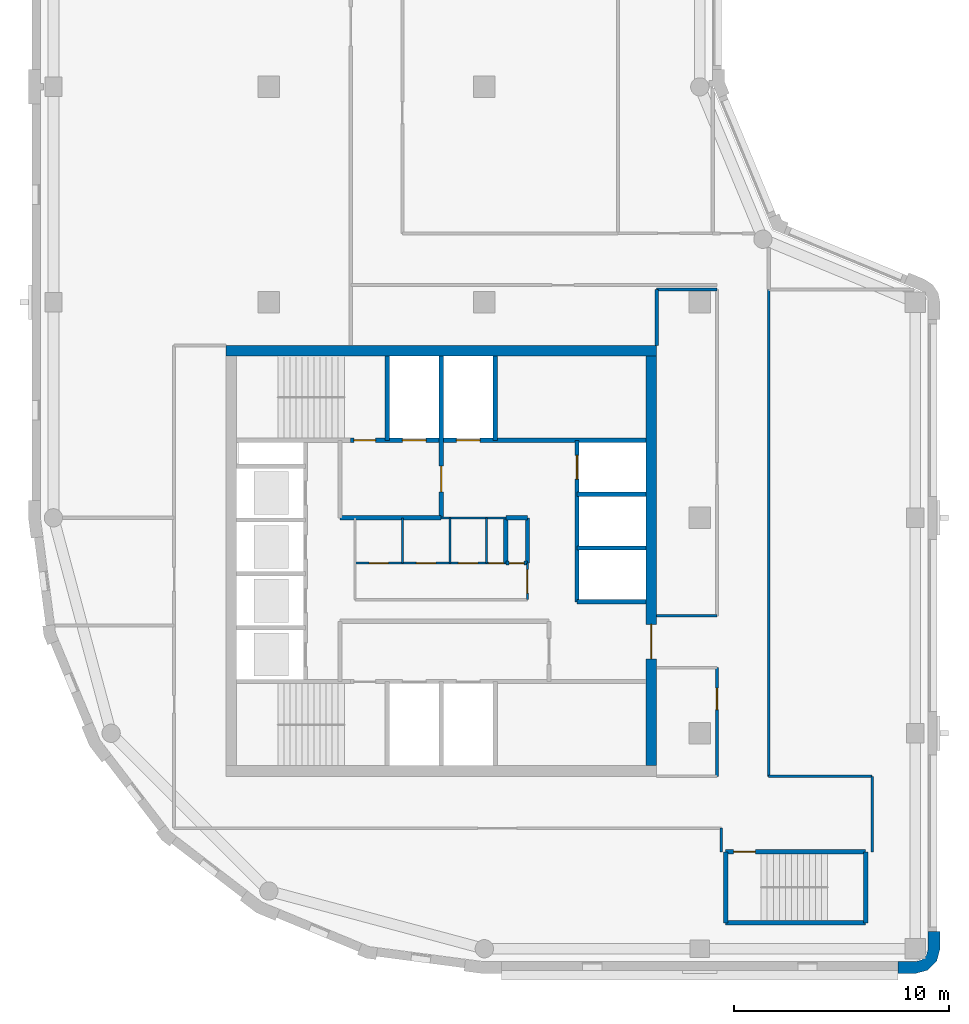
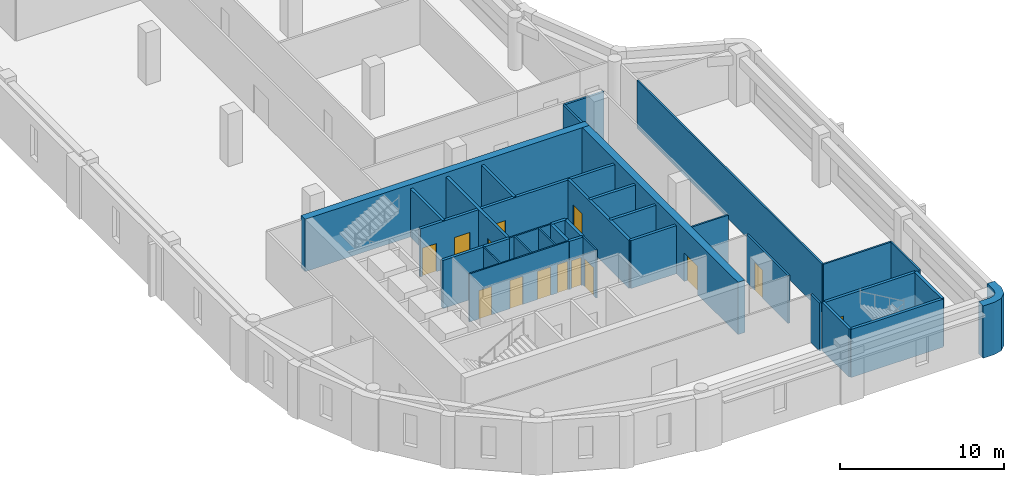
# One storey, part 3 of 8: 34 walls, 14 doors, 14 openings.
"""IFC4 building model written with IfcOpenShell, lengths in metres."""

from ifc_helpers import new_model, si_unit, direction, frame, frame_2d, origin, place, context, subcontext, project, spatial, polyline, rectangle, outline, extrude, material, layer, layer_set, type_object, element, fill, save


model = new_model("IFC4")

# Units and contexts
model_context = context("Model", 3, precision=1e-05, world=origin(), true_north=direction((0.0, 1.0)))
body_context = subcontext(model_context, "Body", "Model", "MODEL_VIEW")
ifc_project = project(units=[si_unit("LENGTHUNIT", "METRE"), si_unit("AREAUNIT", "SQUARE_METRE"), si_unit("VOLUMEUNIT", "CUBIC_METRE"), si_unit("PLANEANGLEUNIT", "RADIAN"), si_unit("MASSUNIT", "GRAM", prefix="KILO")], contexts=[model_context])

# Site, building, storey
site_placement = place(None, origin())
site = spatial("IfcSite", under=ifc_project, at=site_placement, CompositionType="ELEMENT")
building_placement = place(site_placement, origin())
building = spatial("IfcBuilding", under=site, at=building_placement, Name="Qaws Garden Tower", CompositionType="ELEMENT")
storey_placement = place(building_placement, frame((0.0, 0.0, 345.0)))
storey = spatial("IfcBuildingStorey", under=building, at=storey_placement, Name="L84", CompositionType="ELEMENT", Elevation=345.0)

# Wall
ifc_material_1 = material(Name="Clay facing brick masonry", Category="masonry")
ifc_layer_1 = layer(ifc_material_1, 0.550048828125)
ifc_layer_set_1 = layer_set([ifc_layer_1], Name="Clay facing brick masonry")
wall_type_1 = type_object("IfcWallType", Name="Brick corner pier 550 x 2400", PredefinedType="SOLIDWALL", material=ifc_layer_set_1)
wall_1_placement = place(storey_placement, origin())
element("IfcWall", 1, at=wall_1_placement, inside=storey, type_object=wall_type_1, Name="E-L84-pier-02", PredefinedType="SOLIDWALL", context=body_context, shape_type="SweptSolid", body=[
    extrude(outline(polyline([(39.199951171875, -1.0), (39.199951171875, -1.14990234375), (40.0, -1.14990234375), (40.574951171875, -0.995849609375), (40.995849609375, -0.574951171875), (41.14990234375, 0.0), (41.14990234375, 0.800048828125), (41.0, 0.800048828125), (40.60009765625, 0.800048828125), (40.60009765625, 0.0), (40.51953125, -0.300048828125), (40.300048828125, -0.51953125), (40.0, -0.60009765625), (39.199951171875, -0.60009765625), (39.199951171875, -1.0)])), origin(), (0.0, 0.0, 1.0), 3.89990234375),
])

# Wall, openings, doors
ifc_material_2 = material(Name="Plasterboard")
ifc_layer_2 = layer(ifc_material_2, 0.10009765625)
ifc_layer_set_2 = layer_set([ifc_layer_2], Name="Plasterboard")
wall_type_2 = type_object("IfcWallType", Name="Core partition 100", PredefinedType="PARTITIONING", material=ifc_layer_set_2)
wall_2_placement = place(storey_placement, frame((14.0, 17.89990234375, 0.0), z_axis=(0.0, 0.0, 1.0), x_axis=(1.0, 0.0, 0.0)))
wall_2 = element("IfcWall", 2, at=wall_2_placement, inside=storey, type_object=wall_type_2, Name="Core partition", PredefinedType="PARTITIONING", context=body_context, shape_type="SweptSolid", body=[
    extrude(rectangle(XDim=7.0, YDim=0.10009765625, at=frame_2d((3.5, 0.0))), origin(), (0.0, 0.0, 1.0), 3.580078125),
])
opening_1_placement = place(wall_2_placement, frame((0.64990234375, 0.0, 0.0)))
opening_1 = element("IfcOpeningElement", 3, at=opening_1_placement, cuts=wall_2, Name="Opening WD18", PredefinedType="OPENING", context=body_context, shape_type="SweptSolid", body=[
    extrude(rectangle(XDim=0.89990234375, YDim=2.10009765625, at=frame_2d((0.449951171875, 1.050048828125))), frame((0.0, 0.06005859375, 0.0), z_axis=(0.0, -1.0, 0.0), x_axis=(1.0, 0.0, 0.0)), (0.0, 0.0, 1.0), 0.1201171875),
])
opening_2_placement = place(wall_2_placement, frame((2.85009765625, 0.0, 0.0)))
opening_2 = element("IfcOpeningElement", 4, at=opening_2_placement, cuts=wall_2, Name="Opening WD19", PredefinedType="OPENING", context=body_context, shape_type="SweptSolid", body=[
    extrude(rectangle(XDim=0.89990234375, YDim=2.10009765625, at=frame_2d((0.449951171875, 1.050048828125))), frame((0.0, 0.06005859375, 0.0), z_axis=(0.0, -1.0, 0.0), x_axis=(1.0, 0.0, 0.0)), (0.0, 0.0, 1.0), 0.1201171875),
])
opening_3_placement = place(wall_2_placement, frame((4.800048828125, 0.0, 0.0)))
opening_3 = element("IfcOpeningElement", 5, at=opening_3_placement, cuts=wall_2, Name="Opening WD20", PredefinedType="OPENING", context=body_context, shape_type="SweptSolid", body=[
    extrude(rectangle(XDim=0.89990234375, YDim=2.10009765625, at=frame_2d((0.449951171875, 1.050048828125))), frame((0.0, 0.06005859375, 0.0), z_axis=(0.0, -1.0, 0.0), x_axis=(1.0, 0.0, 0.0)), (0.0, 0.0, 1.0), 0.1201171875),
])
opening_4_placement = place(wall_2_placement, frame((6.199951171875, 0.0, 0.0)))
opening_4 = element("IfcOpeningElement", 6, at=opening_4_placement, cuts=wall_2, Name="Opening XD21", PredefinedType="OPENING", context=body_context, shape_type="SweptSolid", body=[
    extrude(rectangle(XDim=0.699951171875, YDim=2.10009765625, at=frame_2d((0.35009765625, 1.050048828125))), frame((0.0, 0.06005859375, 0.0), z_axis=(0.0, -1.0, 0.0), x_axis=(1.0, 0.0, 0.0)), (0.0, 0.0, 1.0), 0.1201171875),
])
ifc_material_3 = material(Name="Timber", Category="wood")
door_type_1 = type_object("IfcDoorType", Name="Store door 700x2100", OperationType="SINGLE_SWING_LEFT", PredefinedType="DOOR", material=ifc_material_3)
door_1_placement = place(opening_4_placement, origin())
door_1 = element("IfcDoor", 7, at=door_1_placement, inside=storey, type_object=door_type_1, Name="Cleaner's store door", OperationType="SINGLE_SWING_RIGHT", OverallHeight=2.10009765625, OverallWidth=0.699951171875, PredefinedType="DOOR", context=body_context, shape_type="SweptSolid", body=[
    extrude(rectangle(XDim=0.699951171875, YDim=2.10009765625, at=frame_2d((0.35009765625, 1.050048828125))), frame((0.0, 0.02490234375, 0.0), z_axis=(0.0, -1.0, 0.0), x_axis=(1.0, 0.0, 0.0)), (0.0, 0.0, 1.0), 0.050048828125),
])
fill(opening_4, door_1)
ifc_material_4 = material(Name="Timber", Category="wood")
door_type_2 = type_object("IfcDoorType", Name="WC door 900x2100", OperationType="SINGLE_SWING_LEFT", PredefinedType="DOOR", material=ifc_material_4)
door_2_placement = place(opening_1_placement, origin())
door_2 = element("IfcDoor", 8, at=door_2_placement, inside=storey, type_object=door_type_2, Name="Men's WC door", OperationType="SINGLE_SWING_RIGHT", OverallHeight=2.10009765625, OverallWidth=0.89990234375, PredefinedType="DOOR", context=body_context, shape_type="SweptSolid", body=[
    extrude(rectangle(XDim=0.89990234375, YDim=2.10009765625, at=frame_2d((0.449951171875, 1.050048828125))), frame((0.0, 0.02490234375, 0.0), z_axis=(0.0, -1.0, 0.0), x_axis=(1.0, 0.0, 0.0)), (0.0, 0.0, 1.0), 0.050048828125),
])
fill(opening_1, door_2)
door_3_placement = place(opening_2_placement, origin())
door_3 = element("IfcDoor", 9, at=door_3_placement, inside=storey, type_object=door_type_2, Name="Women's WC door", OperationType="SINGLE_SWING_RIGHT", OverallHeight=2.10009765625, OverallWidth=0.89990234375, PredefinedType="DOOR", context=body_context, shape_type="SweptSolid", body=[
    extrude(rectangle(XDim=0.89990234375, YDim=2.10009765625, at=frame_2d((0.449951171875, 1.050048828125))), frame((0.0, 0.02490234375, 0.0), z_axis=(0.0, -1.0, 0.0), x_axis=(1.0, 0.0, 0.0)), (0.0, 0.0, 1.0), 0.050048828125),
])
fill(opening_2, door_3)
door_4_placement = place(opening_3_placement, origin())
door_4 = element("IfcDoor", 10, at=door_4_placement, inside=storey, type_object=door_type_2, Name="Accessible WC door", OperationType="SINGLE_SWING_RIGHT", OverallHeight=2.10009765625, OverallWidth=0.89990234375, PredefinedType="DOOR", context=body_context, shape_type="SweptSolid", body=[
    extrude(rectangle(XDim=0.89990234375, YDim=2.10009765625, at=frame_2d((0.449951171875, 1.050048828125))), frame((0.0, 0.02490234375, 0.0), z_axis=(0.0, -1.0, 0.0), x_axis=(1.0, 0.0, 0.0)), (0.0, 0.0, 1.0), 0.050048828125),
])
fill(opening_3, door_4)

# Walls
wall_3_placement = place(storey_placement, frame((18.0, 20.0, 0.0), z_axis=(0.0, 0.0, 1.0), x_axis=(1.0, 0.0, 0.0)))
element("IfcWall", 11, at=wall_3_placement, inside=storey, type_object=wall_type_2, Name="Core partition", PredefinedType="PARTITIONING", context=body_context, shape_type="SweptSolid", body=[
    extrude(rectangle(XDim=3.0, YDim=0.10009765625, at=frame_2d((1.5, 0.0))), origin(), (0.0, 0.0, 1.0), 3.580078125),
])
for number, where, z_axis, x_axis, name in (
    (12, (16.199951171875, 17.89990234375, 0.0), (0.0, 0.0, 1.0), (0.0, 1.0, 0.0), "Core partition"),
    (13, (18.39990234375, 17.89990234375, 0.0), (0.0, 0.0, 1.0), (0.0, 1.0, 0.0), "Core partition"),
    (14, (20.10009765625, 17.89990234375, 0.0), (0.0, 0.0, 1.0), (0.0, 1.0, 0.0), "Core partition"),
):
    element("IfcWall", number, at=place(storey_placement, frame(where, z_axis=z_axis, x_axis=x_axis)), inside=storey, type_object=wall_type_2, Name=name, PredefinedType="PARTITIONING", context=body_context, shape_type="SweptSolid", body=[
        extrude(rectangle(XDim=2.10009765625, YDim=0.10009765625, at=frame_2d((1.050048828125, 0.0))), origin(), (0.0, 0.0, 1.0), 3.580078125),
    ])

# Wall, opening, door
wall_4_placement = place(storey_placement, frame((22.0, 16.199951171875, 0.0), z_axis=(0.0, 0.0, 1.0), x_axis=(0.0, 1.0, 0.0)))
wall_4 = element("IfcWall", 15, at=wall_4_placement, inside=storey, type_object=wall_type_2, Name="Core partition", PredefinedType="PARTITIONING", context=body_context, shape_type="SweptSolid", body=[
    extrude(rectangle(XDim=1.699951171875, YDim=0.10009765625, at=frame_2d((0.85009765625, 0.0))), origin(), (0.0, 0.0, 1.0), 3.580078125),
])
opening_5_placement = place(wall_4_placement, frame((0.300048828125, 0.0, 0.0)))
opening_5 = element("IfcOpeningElement", 16, at=opening_5_placement, cuts=wall_4, Name="Opening WL17", PredefinedType="OPENING", context=body_context, shape_type="SweptSolid", body=[
    extrude(rectangle(XDim=1.10009765625, YDim=2.10009765625, at=frame_2d((0.550048828125, 1.050048828125))), frame((0.0, 0.06005859375, 0.0), z_axis=(0.0, -1.0, 0.0), x_axis=(1.0, 0.0, 0.0)), (0.0, 0.0, 1.0), 0.1201171875),
])
ifc_material_5 = material(Name="Timber", Category="wood")
door_type_3 = type_object("IfcDoorType", Name="WC lobby door 1100x2100", OperationType="SINGLE_SWING_LEFT", PredefinedType="DOOR", material=ifc_material_5)
door_5_placement = place(opening_5_placement, origin())
door_5 = element("IfcDoor", 17, at=door_5_placement, inside=storey, type_object=door_type_3, Name="WC lobby door", OperationType="SINGLE_SWING_RIGHT", OverallHeight=2.10009765625, OverallWidth=1.10009765625, PredefinedType="DOOR", context=body_context, shape_type="SweptSolid", body=[
    extrude(rectangle(XDim=1.10009765625, YDim=2.10009765625, at=frame_2d((0.550048828125, 1.050048828125))), frame((0.0, 0.02490234375, 0.0), z_axis=(0.0, -1.0, 0.0), x_axis=(1.0, 0.0, 0.0)), (0.0, 0.0, 1.0), 0.050048828125),
])
fill(opening_5, door_5)

# Wall
ifc_material_6 = material(Name="Concrete C60", Category="concrete")
ifc_layer_3 = layer(ifc_material_6, 0.199951171875)
ifc_layer_set_3 = layer_set([ifc_layer_3], Name="Concrete C60")
wall_type_3 = type_object("IfcWallType", Name="Core shaft wall 200 C60", PredefinedType="SHEAR", material=ifc_layer_set_3)
wall_5_placement = place(storey_placement, frame((31.199951171875, 1.199951171875, 0.0), z_axis=(0.0, 0.0, 1.0), x_axis=(1.0, 0.0, 0.0)))
element("IfcWall", 18, at=wall_5_placement, inside=storey, type_object=wall_type_3, Name="Shaft wall", PredefinedType="SHEAR", context=body_context, shape_type="SweptSolid", body=[
    extrude(rectangle(XDim=6.5, YDim=0.199951171875, at=frame_2d((3.25, 0.0))), origin(), (0.0, 0.0, 1.0), 3.580078125),
])

# Wall, opening, door
wall_6_placement = place(storey_placement, frame((31.199951171875, 4.5, 0.0), z_axis=(0.0, 0.0, 1.0), x_axis=(1.0, 0.0, 0.0)))
wall_6 = element("IfcWall", 19, at=wall_6_placement, inside=storey, type_object=wall_type_3, Name="Shaft wall", PredefinedType="SHEAR", context=body_context, shape_type="SweptSolid", body=[
    extrude(rectangle(XDim=6.5, YDim=0.199951171875, at=frame_2d((3.25, 0.0))), origin(), (0.0, 0.0, 1.0), 3.580078125),
])
opening_6_placement = place(wall_6_placement, frame((0.375, 0.0, 0.0)))
opening_6 = element("IfcOpeningElement", 20, at=opening_6_placement, cuts=wall_6, Name="Opening SD12", PredefinedType="OPENING", context=body_context, shape_type="SweptSolid", body=[
    extrude(rectangle(XDim=1.0, YDim=2.10009765625, at=frame_2d((0.5, 1.050048828125))), frame((0.0, 0.10986328125, 0.0), z_axis=(0.0, -1.0, 0.0), x_axis=(1.0, 0.0, 0.0)), (0.0, 0.0, 1.0), 0.219970703125),
])
ifc_material_7 = material(Name="Steel S235", Category="steel")
door_type_4 = type_object("IfcDoorType", Name="Stair door 1000x2100", OperationType="SINGLE_SWING_RIGHT", PredefinedType="DOOR", material=ifc_material_7)
door_6_placement = place(opening_6_placement, frame((1.0, 0.0, 0.0), z_axis=(0.0, 0.0, 1.0), x_axis=(-1.0, 0.0, 0.0)))
door_6 = element("IfcDoor", 21, at=door_6_placement, inside=storey, type_object=door_type_4, Name="Stair 5 door", OperationType="SINGLE_SWING_RIGHT", OverallHeight=2.10009765625, OverallWidth=1.0, PredefinedType="DOOR", context=body_context, shape_type="SweptSolid", body=[
    extrude(rectangle(XDim=1.0, YDim=2.10009765625, at=frame_2d((0.5, 1.050048828125))), frame((0.0, 0.02490234375, 0.0), z_axis=(0.0, -1.0, 0.0), x_axis=(1.0, 0.0, 0.0)), (0.0, 0.0, 1.0), 0.050048828125),
])
fill(opening_6, door_6)

# Wall
wall_7_placement = place(storey_placement, frame((24.300048828125, 16.10009765625, 0.0), z_axis=(0.0, 0.0, 1.0), x_axis=(1.0, 0.0, 0.0)))
element("IfcWall", 22, at=wall_7_placement, inside=storey, type_object=wall_type_3, Name="Shaft wall", PredefinedType="SHEAR", context=body_context, shape_type="SweptSolid", body=[
    extrude(rectangle(XDim=3.199951171875, YDim=0.199951171875, at=frame_2d((1.60009765625, 0.0))), origin(), (0.0, 0.0, 1.0), 3.580078125),
])

# Wall, opening, door
wall_8_placement = place(storey_placement, frame((21.0, 17.89990234375, 0.0), z_axis=(0.0, 0.0, 1.0), x_axis=(1.0, 0.0, 0.0)))
wall_8 = element("IfcWall", 23, at=wall_8_placement, inside=storey, type_object=wall_type_3, Name="Shaft wall", PredefinedType="SHEAR", context=body_context, shape_type="SweptSolid", body=[
    extrude(rectangle(XDim=1.0, YDim=0.199951171875, at=frame_2d((0.5, 0.0))), origin(), (0.0, 0.0, 1.0), 3.580078125),
])
opening_7_placement = place(wall_8_placement, frame((0.14990234375, 0.0, 0.0)))
opening_7 = element("IfcOpeningElement", 24, at=opening_7_placement, cuts=wall_8, Name="Opening XD22", PredefinedType="OPENING", context=body_context, shape_type="SweptSolid", body=[
    extrude(rectangle(XDim=0.699951171875, YDim=2.10009765625, at=frame_2d((0.35009765625, 1.050048828125))), frame((0.0, 0.10986328125, 0.0), z_axis=(0.0, -1.0, 0.0), x_axis=(1.0, 0.0, 0.0)), (0.0, 0.0, 1.0), 0.219970703125),
])
door_7_placement = place(opening_7_placement, origin())
door_7 = element("IfcDoor", 25, at=door_7_placement, inside=storey, type_object=door_type_1, Name="Telecom riser door", OperationType="SINGLE_SWING_RIGHT", OverallHeight=2.10009765625, OverallWidth=0.699951171875, PredefinedType="DOOR", context=body_context, shape_type="SweptSolid", body=[
    extrude(rectangle(XDim=0.699951171875, YDim=2.10009765625, at=frame_2d((0.35009765625, 1.050048828125))), frame((0.0, 0.02490234375, 0.0), z_axis=(0.0, -1.0, 0.0), x_axis=(1.0, 0.0, 0.0)), (0.0, 0.0, 1.0), 0.050048828125),
])
fill(opening_7, door_7)

# Walls
wall_9_placement = place(storey_placement, frame((24.300048828125, 18.60009765625, 0.0), z_axis=(0.0, 0.0, 1.0), x_axis=(1.0, 0.0, 0.0)))
element("IfcWall", 26, at=wall_9_placement, inside=storey, type_object=wall_type_3, Name="Shaft wall", PredefinedType="SHEAR", context=body_context, shape_type="SweptSolid", body=[
    extrude(rectangle(XDim=3.199951171875, YDim=0.199951171875, at=frame_2d((1.60009765625, 0.0))), origin(), (0.0, 0.0, 1.0), 3.580078125),
])
wall_10_placement = place(storey_placement, frame((13.300048828125, 20.0, 0.0), z_axis=(0.0, 0.0, 1.0), x_axis=(1.0, 0.0, 0.0)))
element("IfcWall", 27, at=wall_10_placement, inside=storey, type_object=wall_type_3, Name="Shaft wall", PredefinedType="SHEAR", context=body_context, shape_type="SweptSolid", body=[
    extrude(rectangle(XDim=4.699951171875, YDim=0.199951171875, at=frame_2d((2.35009765625, 0.0))), origin(), (0.0, 0.0, 1.0), 3.580078125),
])
wall_11_placement = place(storey_placement, frame((21.0, 20.0, 0.0), z_axis=(0.0, 0.0, 1.0), x_axis=(1.0, 0.0, 0.0)))
element("IfcWall", 28, at=wall_11_placement, inside=storey, type_object=wall_type_3, Name="Shaft wall", PredefinedType="SHEAR", context=body_context, shape_type="SweptSolid", body=[
    extrude(rectangle(XDim=1.0, YDim=0.199951171875, at=frame_2d((0.5, 0.0))), origin(), (0.0, 0.0, 1.0), 3.580078125),
])
wall_12_placement = place(storey_placement, frame((24.300048828125, 21.10009765625, 0.0), z_axis=(0.0, 0.0, 1.0), x_axis=(1.0, 0.0, 0.0)))
element("IfcWall", 29, at=wall_12_placement, inside=storey, type_object=wall_type_3, Name="Shaft wall", PredefinedType="SHEAR", context=body_context, shape_type="SweptSolid", body=[
    extrude(rectangle(XDim=3.199951171875, YDim=0.199951171875, at=frame_2d((1.60009765625, 0.0))), origin(), (0.0, 0.0, 1.0), 3.580078125),
])

# Wall, openings, doors
wall_13_placement = place(storey_placement, frame((13.800048828125, 23.60009765625, 0.0), z_axis=(0.0, 0.0, 1.0), x_axis=(1.0, 0.0, 0.0)))
wall_13 = element("IfcWall", 30, at=wall_13_placement, inside=storey, type_object=wall_type_3, Name="Shaft wall", PredefinedType="SHEAR", context=body_context, shape_type="SweptSolid", body=[
    extrude(rectangle(XDim=13.699951171875, YDim=0.199951171875, at=frame_2d((6.85009765625, 0.0))), origin(), (0.0, 0.0, 1.0), 3.580078125),
])
opening_8_placement = place(wall_13_placement, frame((2.39990234375, 0.0, 0.0)))
opening_8 = element("IfcOpeningElement", 31, at=opening_8_placement, cuts=wall_13, Name="Opening LD08", PredefinedType="OPENING", context=body_context, shape_type="SweptSolid", body=[
    extrude(rectangle(XDim=1.10009765625, YDim=2.10009765625, at=frame_2d((0.550048828125, 1.050048828125))), frame((0.0, 0.10986328125, 0.0), z_axis=(0.0, -1.0, 0.0), x_axis=(1.0, 0.0, 0.0)), (0.0, 0.0, 1.0), 0.219970703125),
])
opening_9_placement = place(wall_13_placement, frame((4.89990234375, 0.0, 0.0)))
opening_9 = element("IfcOpeningElement", 32, at=opening_9_placement, cuts=wall_13, Name="Opening LD09", PredefinedType="OPENING", context=body_context, shape_type="SweptSolid", body=[
    extrude(rectangle(XDim=1.10009765625, YDim=2.10009765625, at=frame_2d((0.550048828125, 1.050048828125))), frame((0.0, 0.10986328125, 0.0), z_axis=(0.0, -1.0, 0.0), x_axis=(1.0, 0.0, 0.0)), (0.0, 0.0, 1.0), 0.219970703125),
])
opening_10_placement = place(wall_13_placement, frame((0.14990234375, 0.0, 0.0)))
opening_10 = element("IfcOpeningElement", 33, at=opening_10_placement, cuts=wall_13, Name="Opening SD11", PredefinedType="OPENING", context=body_context, shape_type="SweptSolid", body=[
    extrude(rectangle(XDim=1.0, YDim=2.10009765625, at=frame_2d((0.5, 1.050048828125))), frame((0.0, 0.10986328125, 0.0), z_axis=(0.0, -1.0, 0.0), x_axis=(1.0, 0.0, 0.0)), (0.0, 0.0, 1.0), 0.219970703125),
])
ifc_material_8 = material(Name="Steel S235", Category="steel")
door_type_5 = type_object("IfcDoorType", Name="Landing door 1100x2100", OperationType="DOUBLE_DOOR_SLIDING", PredefinedType="DOOR", material=ifc_material_8)
door_8_placement = place(opening_8_placement, origin())
door_8 = element("IfcDoor", 34, at=door_8_placement, inside=storey, type_object=door_type_5, Name="Lift FF3 landing door", OperationType="DOUBLE_DOOR_SLIDING", OverallHeight=2.10009765625, OverallWidth=1.10009765625, PredefinedType="DOOR", context=body_context, shape_type="SweptSolid", body=[
    extrude(rectangle(XDim=1.10009765625, YDim=2.10009765625, at=frame_2d((0.550048828125, 1.050048828125))), frame((0.0, 0.02490234375, 0.0), z_axis=(0.0, -1.0, 0.0), x_axis=(1.0, 0.0, 0.0)), (0.0, 0.0, 1.0), 0.050048828125),
])
fill(opening_8, door_8)
door_9_placement = place(opening_9_placement, origin())
door_9 = element("IfcDoor", 35, at=door_9_placement, inside=storey, type_object=door_type_5, Name="Lift SV2 landing door", OperationType="DOUBLE_DOOR_SLIDING", OverallHeight=2.10009765625, OverallWidth=1.10009765625, PredefinedType="DOOR", context=body_context, shape_type="SweptSolid", body=[
    extrude(rectangle(XDim=1.10009765625, YDim=2.10009765625, at=frame_2d((0.550048828125, 1.050048828125))), frame((0.0, 0.02490234375, 0.0), z_axis=(0.0, -1.0, 0.0), x_axis=(1.0, 0.0, 0.0)), (0.0, 0.0, 1.0), 0.050048828125),
])
fill(opening_9, door_9)
door_10_placement = place(opening_10_placement, origin())
door_10 = element("IfcDoor", 36, at=door_10_placement, inside=storey, type_object=door_type_4, Name="Stair 4 door", OperationType="SINGLE_SWING_RIGHT", OverallHeight=2.10009765625, OverallWidth=1.0, PredefinedType="DOOR", context=body_context, shape_type="SweptSolid", body=[
    extrude(rectangle(XDim=1.0, YDim=2.10009765625, at=frame_2d((0.5, 1.050048828125))), frame((0.0, 0.02490234375, 0.0), z_axis=(0.0, -1.0, 0.0), x_axis=(1.0, 0.0, 0.0)), (0.0, 0.0, 1.0), 0.050048828125),
])
fill(opening_10, door_10)

# Wall
wall_14_placement = place(storey_placement, frame((15.5, 23.60009765625, 0.0), z_axis=(0.0, 0.0, 1.0), x_axis=(0.0, 1.0, 0.0)))
element("IfcWall", 37, at=wall_14_placement, inside=storey, type_object=wall_type_3, Name="Shaft wall", PredefinedType="SHEAR", context=body_context, shape_type="SweptSolid", body=[
    extrude(rectangle(XDim=3.89990234375, YDim=0.199951171875, at=frame_2d((1.949951171875, 0.0))), origin(), (0.0, 0.0, 1.0), 3.580078125),
])

# Wall, opening, door
wall_15_placement = place(storey_placement, frame((18.0, 20.0, 0.0), z_axis=(0.0, 0.0, 1.0), x_axis=(0.0, 1.0, 0.0)))
wall_15 = element("IfcWall", 38, at=wall_15_placement, inside=storey, type_object=wall_type_3, Name="Shaft wall", PredefinedType="SHEAR", context=body_context, shape_type="SweptSolid", body=[
    extrude(rectangle(XDim=7.5, YDim=0.199951171875, at=frame_2d((3.75, 0.0))), origin(), (0.0, 0.0, 1.0), 3.580078125),
])
opening_11_placement = place(wall_15_placement, frame((1.199951171875, 0.0, 0.0)))
opening_11 = element("IfcOpeningElement", 39, at=opening_11_placement, cuts=wall_15, Name="Opening FD16", PredefinedType="OPENING", context=body_context, shape_type="SweptSolid", body=[
    extrude(rectangle(XDim=1.199951171875, YDim=2.10009765625, at=frame_2d((0.60009765625, 1.050048828125))), frame((0.0, 0.10986328125, 0.0), z_axis=(0.0, -1.0, 0.0), x_axis=(1.0, 0.0, 0.0)), (0.0, 0.0, 1.0), 0.219970703125),
])
ifc_material_9 = material(Name="Steel S235", Category="steel")
door_type_6 = type_object("IfcDoorType", Name="Lobby door 1200x2100", OperationType="DOUBLE_DOOR_SINGLE_SWING", PredefinedType="DOOR", material=ifc_material_9)
door_11_placement = place(opening_11_placement, origin())
door_11 = element("IfcDoor", 40, at=door_11_placement, inside=storey, type_object=door_type_6, Name="Fire-fighting lobby door", OperationType="DOUBLE_DOOR_SINGLE_SWING", OverallHeight=2.10009765625, OverallWidth=1.199951171875, PredefinedType="DOOR", context=body_context, shape_type="SweptSolid", body=[
    extrude(rectangle(XDim=1.199951171875, YDim=2.10009765625, at=frame_2d((0.60009765625, 1.050048828125))), frame((0.0, 0.02490234375, 0.0), z_axis=(0.0, -1.0, 0.0), x_axis=(1.0, 0.0, 0.0)), (0.0, 0.0, 1.0), 0.050048828125),
])
fill(opening_11, door_11)

# Walls
wall_16_placement = place(storey_placement, frame((20.5, 23.60009765625, 0.0), z_axis=(0.0, 0.0, 1.0), x_axis=(0.0, 1.0, 0.0)))
element("IfcWall", 41, at=wall_16_placement, inside=storey, type_object=wall_type_3, Name="Shaft wall", PredefinedType="SHEAR", context=body_context, shape_type="SweptSolid", body=[
    extrude(rectangle(XDim=3.89990234375, YDim=0.199951171875, at=frame_2d((1.949951171875, 0.0))), origin(), (0.0, 0.0, 1.0), 3.580078125),
])
for number, where, z_axis, x_axis, name in (
    (42, (21.0, 17.89990234375, 0.0), (0.0, 0.0, 1.0), (0.0, 1.0, 0.0), "Shaft wall"),
    (43, (22.0, 17.89990234375, 0.0), (0.0, 0.0, 1.0), (0.0, 1.0, 0.0), "Shaft wall"),
):
    element("IfcWall", number, at=place(storey_placement, frame(where, z_axis=z_axis, x_axis=x_axis)), inside=storey, type_object=wall_type_3, Name=name, PredefinedType="SHEAR", context=body_context, shape_type="SweptSolid", body=[
        extrude(rectangle(XDim=2.10009765625, YDim=0.199951171875, at=frame_2d((1.050048828125, 0.0))), origin(), (0.0, 0.0, 1.0), 3.580078125),
    ])

# Wall, opening, door
wall_17_placement = place(storey_placement, frame((24.300048828125, 16.10009765625, 0.0), z_axis=(0.0, 0.0, 1.0), x_axis=(0.0, 1.0, 0.0)))
wall_17 = element("IfcWall", 44, at=wall_17_placement, inside=storey, type_object=wall_type_3, Name="Shaft wall", PredefinedType="SHEAR", context=body_context, shape_type="SweptSolid", body=[
    extrude(rectangle(XDim=7.5, YDim=0.199951171875, at=frame_2d((3.75, 0.0))), origin(), (0.0, 0.0, 1.0), 3.580078125),
])
opening_12_placement = place(wall_17_placement, frame((5.699951171875, 0.0, 0.0)))
opening_12 = element("IfcOpeningElement", 45, at=opening_12_placement, cuts=wall_17, Name="Opening LD05", PredefinedType="OPENING", context=body_context, shape_type="SweptSolid", body=[
    extrude(rectangle(XDim=1.10009765625, YDim=2.10009765625, at=frame_2d((0.550048828125, 1.050048828125))), frame((0.0, 0.10986328125, 0.0), z_axis=(0.0, -1.0, 0.0), x_axis=(1.0, 0.0, 0.0)), (0.0, 0.0, 1.0), 0.219970703125),
])
door_12_placement = place(opening_12_placement, origin())
door_12 = element("IfcDoor", 46, at=door_12_placement, inside=storey, type_object=door_type_5, Name="Lift E3 landing door", OperationType="DOUBLE_DOOR_SLIDING", OverallHeight=2.10009765625, OverallWidth=1.10009765625, PredefinedType="DOOR", context=body_context, shape_type="SweptSolid", body=[
    extrude(rectangle(XDim=1.10009765625, YDim=2.10009765625, at=frame_2d((0.550048828125, 1.050048828125))), frame((0.0, 0.02490234375, 0.0), z_axis=(0.0, -1.0, 0.0), x_axis=(1.0, 0.0, 0.0)), (0.0, 0.0, 1.0), 0.050048828125),
])
fill(opening_12, door_12)

# Walls
for number, where, z_axis, x_axis, name in (
    (47, (31.199951171875, 1.199951171875, 0.0), (0.0, 0.0, 1.0), (0.0, 1.0, 0.0), "Shaft wall"),
    (48, (37.699951171875, 1.199951171875, 0.0), (0.0, 0.0, 1.0), (0.0, 1.0, 0.0), "Shaft wall"),
):
    element("IfcWall", number, at=place(storey_placement, frame(where, z_axis=z_axis, x_axis=x_axis)), inside=storey, type_object=wall_type_3, Name=name, PredefinedType="SHEAR", context=body_context, shape_type="SweptSolid", body=[
        extrude(rectangle(XDim=3.300048828125, YDim=0.199951171875, at=frame_2d((1.64990234375, 0.0))), origin(), (0.0, 0.0, 1.0), 3.580078125),
    ])

# Wall, opening, door
ifc_material_10 = material(Name="Concrete C60", Category="concrete")
ifc_layer_4 = layer(ifc_material_10, 0.5)
ifc_layer_set_4 = layer_set([ifc_layer_4], Name="Concrete C60")
wall_type_4 = type_object("IfcWallType", Name="Core wall 500 C60", PredefinedType="SHEAR", material=ifc_layer_set_4)
wall_18_placement = place(storey_placement, frame((27.75, 8.5, 0.0), z_axis=(0.0, 0.0, 1.0), x_axis=(0.0, 1.0, 0.0)))
wall_18 = element("IfcWall", 49, at=wall_18_placement, inside=storey, type_object=wall_type_4, Name="Core wall L84 east", PredefinedType="SHEAR", context=body_context, shape_type="SweptSolid", body=[
    extrude(rectangle(XDim=19.0, YDim=0.5, at=frame_2d((9.5, 0.0))), origin(), (0.0, 0.0, 1.0), 3.89990234375),
])
opening_13_placement = place(wall_18_placement, frame((4.949951171875, 0.0, 0.0)))
opening_13 = element("IfcOpeningElement", 50, at=opening_13_placement, cuts=wall_18, Name="Opening ED23", PredefinedType="OPENING", context=body_context, shape_type="SweptSolid", body=[
    extrude(rectangle(XDim=1.60009765625, YDim=2.10009765625, at=frame_2d((0.800048828125, 1.050048828125))), frame((0.0, 0.260009765625, 0.0), z_axis=(0.0, -1.0, 0.0), x_axis=(1.0, 0.0, 0.0)), (0.0, 0.0, 1.0), 0.52001953125),
])
ifc_material_11 = material(Name="Steel S235", Category="steel")
door_type_7 = type_object("IfcDoorType", Name="Core entrance door 1600x2100", OperationType="DOUBLE_DOOR_SINGLE_SWING", PredefinedType="DOOR", material=ifc_material_11)
door_13_placement = place(opening_13_placement, origin())
door_13 = element("IfcDoor", 51, at=door_13_placement, inside=storey, type_object=door_type_7, Name="Core entrance door", OperationType="DOUBLE_DOOR_SINGLE_SWING", OverallHeight=2.10009765625, OverallWidth=1.60009765625, PredefinedType="DOOR", context=body_context, shape_type="SweptSolid", body=[
    extrude(rectangle(XDim=1.60009765625, YDim=2.10009765625, at=frame_2d((0.800048828125, 1.050048828125))), frame((0.0, 0.02490234375, 0.0), z_axis=(0.0, -1.0, 0.0), x_axis=(1.0, 0.0, 0.0)), (0.0, 0.0, 1.0), 0.050048828125),
])
fill(opening_13, door_13)

# Wall
wall_19_placement = place(storey_placement, frame((28.0, 27.75, 0.0), z_axis=(0.0, 0.0, 1.0), x_axis=(-1.0, 0.0, 0.0)))
element("IfcWall", 52, at=wall_19_placement, inside=storey, type_object=wall_type_4, Name="Core wall L84 north", PredefinedType="SHEAR", context=body_context, shape_type="SweptSolid", body=[
    extrude(rectangle(XDim=20.0, YDim=0.5, at=frame_2d((10.0, 0.0))), origin(), (0.0, 0.0, 1.0), 3.89990234375),
])

# Wall, opening, door
ifc_material_12 = material(Name="Glass and aluminium framing", Category="aluminium")
ifc_layer_5 = layer(ifc_material_12, 0.1201171875)
ifc_layer_set_5 = layer_set([ifc_layer_5], Name="Glass and aluminium framing")
wall_type_5 = type_object("IfcWallType", Name="GLAZED PARTITION 120 EI 30", PredefinedType="PARTITIONING", material=ifc_layer_set_5)
wall_20_placement = place(storey_placement, frame((30.800048828125, 8.0, 0.0), z_axis=(0.0, 0.0, 1.0), x_axis=(0.0, 1.0, 0.0)))
wall_20 = element("IfcWall", 53, at=wall_20_placement, inside=storey, type_object=wall_type_5, Name="O-L84-wall-029", PredefinedType="PARTITIONING", context=body_context, shape_type="SweptSolid", body=[
    extrude(rectangle(XDim=5.050048828125, YDim=0.1201171875, at=frame_2d((2.52490234375, 0.0))), origin(), (0.0, 0.0, 1.0), 3.580078125),
])
opening_14_placement = place(wall_20_placement, frame((3.10009765625, 0.0, 0.0)))
opening_14 = element("IfcOpeningElement", 54, at=opening_14_placement, cuts=wall_20, Name="Opening C1008", PredefinedType="OPENING", context=body_context, shape_type="SweptSolid", body=[
    extrude(rectangle(XDim=1.0, YDim=2.10009765625, at=frame_2d((0.5, 1.050048828125))), frame((0.0, 0.070068359375, 0.0), z_axis=(0.0, -1.0, 0.0), x_axis=(1.0, 0.0, 0.0)), (0.0, 0.0, 1.0), 0.14013671875),
])
ifc_material_13 = material(Name="Timber door leaf", Category="wood")
door_type_8 = type_object("IfcDoorType", Name="TENANCY ENTRANCE DOOR 1000 X 2100", OperationType="SINGLE_SWING_LEFT", PredefinedType="DOOR", material=ifc_material_13)
door_14_placement = place(opening_14_placement, origin())
door_14 = element("IfcDoor", 55, at=door_14_placement, inside=storey, type_object=door_type_8, Name="O-L84-door-008", OperationType="SINGLE_SWING_RIGHT", OverallHeight=2.10009765625, OverallWidth=1.0, PredefinedType="DOOR", context=body_context, shape_type="SweptSolid", body=[
    extrude(rectangle(XDim=1.0, YDim=2.10009765625, at=frame_2d((0.5, 1.050048828125))), frame((0.0, 0.02490234375, 0.0), z_axis=(0.0, -1.0, 0.0), x_axis=(1.0, 0.0, 0.0)), (0.0, 0.0, 1.0), 0.050048828125),
])
fill(opening_14, door_14)

# Walls
wall_21_placement = place(storey_placement, frame((31.0, 4.5, 0.0), z_axis=(0.0, 0.0, 1.0), x_axis=(0.0, 1.0, 0.0)))
element("IfcWall", 56, at=wall_21_placement, inside=storey, type_object=wall_type_5, Name="O-L84-wall-031", PredefinedType="PARTITIONING", context=body_context, shape_type="SweptSolid", body=[
    extrude(rectangle(XDim=1.10009765625, YDim=0.1201171875, at=frame_2d((0.550048828125, 0.0))), origin(), (0.0, 0.0, 1.0), 3.580078125),
])
wall_22_placement = place(storey_placement, frame((33.199951171875, 8.0, 0.0), z_axis=(0.0, 0.0, 1.0), x_axis=(0.0, 1.0, 0.0)))
element("IfcWall", 57, at=wall_22_placement, inside=storey, type_object=wall_type_5, Name="O-L84-wall-032", PredefinedType="PARTITIONING", context=body_context, shape_type="SweptSolid", body=[
    extrude(rectangle(XDim=22.60009765625, YDim=0.1201171875, at=frame_2d((11.300048828125, 0.0))), origin(), (0.0, 0.0, 1.0), 3.580078125),
])
wall_23_placement = place(storey_placement, frame((38.0, 4.5, 0.0), z_axis=(0.0, 0.0, 1.0), x_axis=(0.0, 1.0, 0.0)))
element("IfcWall", 58, at=wall_23_placement, inside=storey, type_object=wall_type_5, Name="O-L84-wall-033", PredefinedType="PARTITIONING", context=body_context, shape_type="SweptSolid", body=[
    extrude(rectangle(XDim=3.5, YDim=0.1201171875, at=frame_2d((1.75, 0.0))), origin(), (0.0, 0.0, 1.0), 3.580078125),
])
wall_24_placement = place(storey_placement, frame((33.199951171875, 8.0, 0.0), z_axis=(0.0, 0.0, 1.0), x_axis=(1.0, 0.0, 0.0)))
element("IfcWall", 59, at=wall_24_placement, inside=storey, type_object=wall_type_5, Name="O-L84-wall-036", PredefinedType="PARTITIONING", context=body_context, shape_type="SweptSolid", body=[
    extrude(rectangle(XDim=4.800048828125, YDim=0.1201171875, at=frame_2d((2.39990234375, 0.0))), origin(), (0.0, 0.0, 1.0), 3.580078125),
])
wall_25_placement = place(storey_placement, frame((28.0, 15.449951171875, 0.0), z_axis=(0.0, 0.0, 1.0), x_axis=(1.0, 0.0, 0.0)))
element("IfcWall", 60, at=wall_25_placement, inside=storey, type_object=wall_type_5, Name="O-L84-wall-038", PredefinedType="PARTITIONING", context=body_context, shape_type="SweptSolid", body=[
    extrude(rectangle(XDim=2.800048828125, YDim=0.1201171875, at=frame_2d((1.39990234375, 0.0))), origin(), (0.0, 0.0, 1.0), 3.580078125),
])
ifc_material_14 = material(Name="Gypsum board partition")
ifc_layer_6 = layer(ifc_material_14, 0.14990234375)
ifc_layer_set_6 = layer_set([ifc_layer_6], Name="Gypsum board partition")
wall_type_6 = type_object("IfcWallType", Name="PARTITION 150 EI 60", PredefinedType="PARTITIONING", material=ifc_layer_set_6)
wall_26_placement = place(storey_placement, frame((28.0, 28.0, 0.0), z_axis=(0.0, 0.0, 1.0), x_axis=(0.0, 1.0, 0.0)))
element("IfcWall", 61, at=wall_26_placement, inside=storey, type_object=wall_type_6, Name="O-L84-wall-010", PredefinedType="PARTITIONING", context=body_context, shape_type="SweptSolid", body=[
    extrude(rectangle(XDim=2.597900390625, YDim=0.14990234375, at=frame_2d((1.298828125, 0.0))), origin(), (0.0, 0.0, 1.0), 3.580078125),
])
wall_27_placement = place(storey_placement, frame((28.001953125, 30.60009765625, 0.0), z_axis=(0.0, 0.0, 1.0), x_axis=(1.0, 0.0, 0.0)))
element("IfcWall", 62, at=wall_27_placement, inside=storey, type_object=wall_type_6, Name="O-L84-wall-016", PredefinedType="PARTITIONING", context=body_context, shape_type="SweptSolid", body=[
    extrude(rectangle(XDim=2.798095703125, YDim=0.14990234375, at=frame_2d((1.39892578125, 0.0))), origin(), (0.0, 0.0, 1.0), 3.580078125),
])

save(model, "model.ifc")
